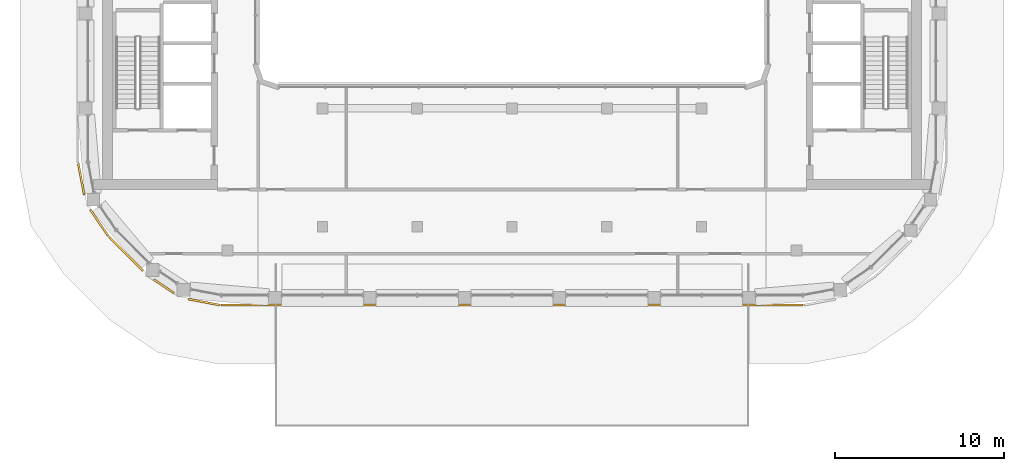
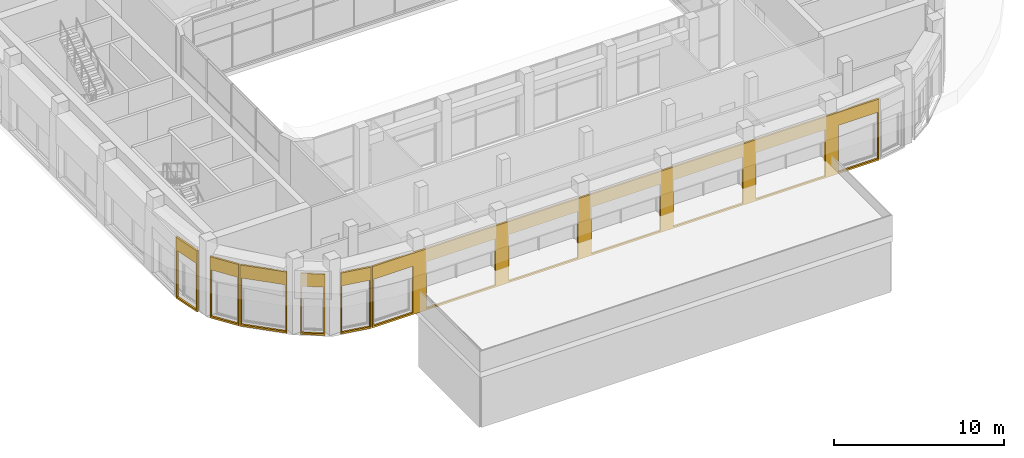
# One storey, part 17 of 23: 6 coverings.
"""IFC4 building model written with IfcOpenShell, lengths in metres."""

from ifc_helpers import new_model, si_unit, direction, frame, origin, place, context, subcontext, project, spatial, polyline, outline, extrude, material, layer, layer_set, type_object, element, save


model = new_model("IFC4")

# Units and contexts
model_context = context("Model", 3, precision=1e-05, world=origin(), true_north=direction((0.0, 1.0)))
body_context = subcontext(model_context, "Body", "Model", "MODEL_VIEW")
ifc_project = project(units=[si_unit("LENGTHUNIT", "METRE"), si_unit("AREAUNIT", "SQUARE_METRE"), si_unit("VOLUMEUNIT", "CUBIC_METRE"), si_unit("PLANEANGLEUNIT", "RADIAN"), si_unit("MASSUNIT", "GRAM", prefix="KILO")], contexts=[model_context])

# Site, building, storey
site_placement = place(None, origin())
site = spatial("IfcSite", under=ifc_project, at=site_placement, CompositionType="ELEMENT")
building_placement = place(site_placement, origin())
building = spatial("IfcBuilding", under=site, at=building_placement, Name="Kiln Ring Residences", CompositionType="ELEMENT")
storey_placement = place(building_placement, frame((0.0, 0.0, 294.5)))
storey = spatial("IfcBuildingStorey", under=building, at=storey_placement, Name="L76", CompositionType="ELEMENT", Elevation=294.5)

# Coverings
ifc_material = material(Name="Brick masonry, dark clay brick", Category="masonry")
ifc_layer = layer(ifc_material, 0.1201171875)
ifc_layer_set = layer_set([ifc_layer], Name="RAINSCREEN PANEL 120")
covering_type = type_object("IfcCoveringType", Name="RAINSCREEN PANEL 120", PredefinedType="CLADDING", material=ifc_layer_set)
covering_1_placement = place(storey_placement, frame((-23.810546875, -16.004638671875, 0.0), z_axis=(0.0, 0.0, 1.0), x_axis=(0.707106781187, -0.707106781187, 0.0)))
element("IfcCovering", 1, at=covering_1_placement, inside=storey, type_object=covering_type, Name="RAINSCREEN L76", PredefinedType="CLADDING", context=body_context, shape_type="SweptSolid", body=[
    extrude(outline(polyline([(0.0, 0.0), (2.824951171875, 0.0), (2.824951171875, 4.39990234375), (0.0, 4.39990234375), (0.0, 0.0)]), holes=[polyline([(0.080078125, 3.469970703125), (0.080078125, 0.1298828125), (2.7451171875, 0.1298828125), (2.7451171875, 3.469970703125), (0.080078125, 3.469970703125)])]), frame((0.0, 0.06005859375, 0.0), z_axis=(0.0, -1.0, 0.0), x_axis=(1.0, 0.0, 0.0)), (0.0, 0.0, 1.0), 0.1201171875),
])
covering_2_placement = place(storey_placement, frame((-21.166015625, -18.517822265625, 0.0), z_axis=(0.0, 0.0, 1.0), x_axis=(0.827015589659, -0.562178987923, 0.0)))
element("IfcCovering", 2, at=covering_2_placement, inside=storey, type_object=covering_type, Name="RAINSCREEN L76", PredefinedType="CLADDING", context=body_context, shape_type="SweptSolid", body=[
    extrude(outline(polyline([(0.0, 0.0), (1.427001953125, 0.0), (1.427001953125, 4.39990234375), (0.0, 4.39990234375), (0.0, 0.0)]), holes=[polyline([(0.080078125, 3.469970703125), (0.080078125, 0.1298828125), (1.34716796875, 0.1298828125), (1.34716796875, 3.469970703125), (0.080078125, 3.469970703125)])]), frame((0.0, 0.06005859375, 0.0), z_axis=(0.0, -1.0, 0.0), x_axis=(1.0, 0.0, 0.0)), (0.0, 0.0, 1.0), 0.1201171875),
])
covering_3_placement = place(storey_placement, frame((-19.12939453125, -19.6748046875, 0.0), z_axis=(0.0, 0.0, 1.0), x_axis=(0.982284001233, -0.187398348234, 0.0)))
element("IfcCovering", 3, at=covering_3_placement, inside=storey, type_object=covering_type, Name="RAINSCREEN L76", PredefinedType="CLADDING", context=body_context, shape_type="SweptSolid", body=[
    extrude(outline(polyline([(0.0, 0.0), (1.881103515625, 0.0), (1.881103515625, 4.39990234375), (0.0, 4.39990234375), (0.0, 0.0)]), holes=[polyline([(0.080078125, 3.469970703125), (0.080078125, 0.1298828125), (1.801025390625, 0.1298828125), (1.801025390625, 3.469970703125), (0.080078125, 3.469970703125)])]), frame((0.0, 0.06005859375, 0.0), z_axis=(0.0, -1.0, 0.0), x_axis=(1.0, 0.0, 0.0)), (0.0, 0.0, 1.0), 0.1201171875),
])
covering_4_placement = place(storey_placement, frame((-17.199951171875, -20.034912109375, 0.0), z_axis=(0.0, 0.0, 1.0), x_axis=(1.0, 0.0, 0.0)))
element("IfcCovering", 4, at=covering_4_placement, inside=storey, type_object=covering_type, Name="RAINSCREEN L76", PredefinedType="CLADDING", context=body_context, shape_type="SweptSolid", body=[
    extrude(outline(polyline([(0.0, 0.0), (34.39990234375, 0.0), (34.39990234375, 4.39990234375), (0.0, 4.39990234375), (0.0, 0.0)]), holes=[polyline([(2.7451171875, 0.1298828125), (2.7451171875, 3.469970703125), (0.080078125, 3.469970703125), (0.080078125, 0.1298828125), (2.7451171875, 0.1298828125)]), polyline([(3.655029296875, 0.1298828125), (8.344970703125, 0.1298828125), (8.344970703125, 3.469970703125), (3.655029296875, 3.469970703125), (3.655029296875, 0.1298828125)]), polyline([(9.2548828125, 0.1298828125), (13.945068359375, 0.1298828125), (13.945068359375, 3.469970703125), (9.2548828125, 3.469970703125), (9.2548828125, 0.1298828125)]), polyline([(14.85498046875, 0.1298828125), (19.544921875, 0.1298828125), (19.544921875, 3.469970703125), (14.85498046875, 3.469970703125), (14.85498046875, 0.1298828125)]), polyline([(20.455078125, 0.1298828125), (25.14501953125, 0.1298828125), (25.14501953125, 3.469970703125), (20.455078125, 3.469970703125), (20.455078125, 0.1298828125)]), polyline([(26.054931640625, 0.1298828125), (30.7451171875, 0.1298828125), (30.7451171875, 3.469970703125), (26.054931640625, 3.469970703125), (26.054931640625, 0.1298828125)]), polyline([(31.655029296875, 0.1298828125), (34.320068359375, 0.1298828125), (34.320068359375, 3.469970703125), (31.655029296875, 3.469970703125), (31.655029296875, 0.1298828125)])]), frame((0.0, 0.06005859375, 0.0), z_axis=(0.0, -1.0, 0.0), x_axis=(1.0, 0.0, 0.0)), (0.0, 0.0, 1.0), 0.1201171875),
])
for number, where, z_axis, x_axis, name in (
    (5, (-25.627197265625, -11.681396484375, 0.0), (0.0, 0.0, 1.0), (0.187273123953, -0.982307883021, 0.0), "RAINSCREEN L76"),
    (6, (-24.920166015625, -14.3857421875, 0.0), (0.0, 0.0, 1.0), (0.562075713892, -0.827085782645, 0.0), "RAINSCREEN L76"),
):
    element("IfcCovering", number, at=place(storey_placement, frame(where, z_axis=z_axis, x_axis=x_axis)), inside=storey, type_object=covering_type, Name=name, PredefinedType="CLADDING", context=body_context, shape_type="SweptSolid", body=[
        extrude(outline(polyline([(0.0, 0.0), (1.881103515625, 0.0), (1.881103515625, 4.39990234375), (0.0, 4.39990234375), (0.0, 0.0)]), holes=[polyline([(0.080078125, 3.469970703125), (0.080078125, 0.1298828125), (1.801025390625, 0.1298828125), (1.801025390625, 3.469970703125), (0.080078125, 3.469970703125)])]), frame((0.0, 0.06005859375, 0.0), z_axis=(0.0, -1.0, 0.0), x_axis=(1.0, 0.0, 0.0)), (0.0, 0.0, 1.0), 0.1201171875),
    ])

save(model, "model.ifc")
